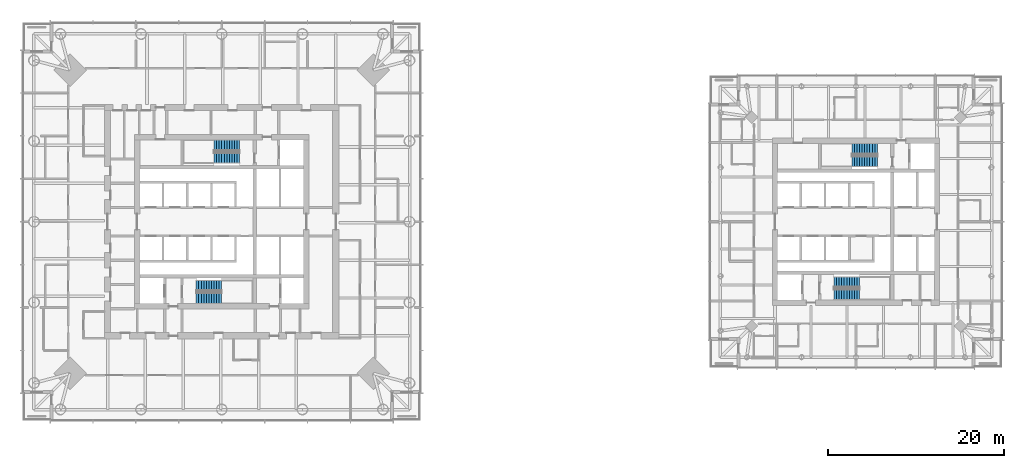
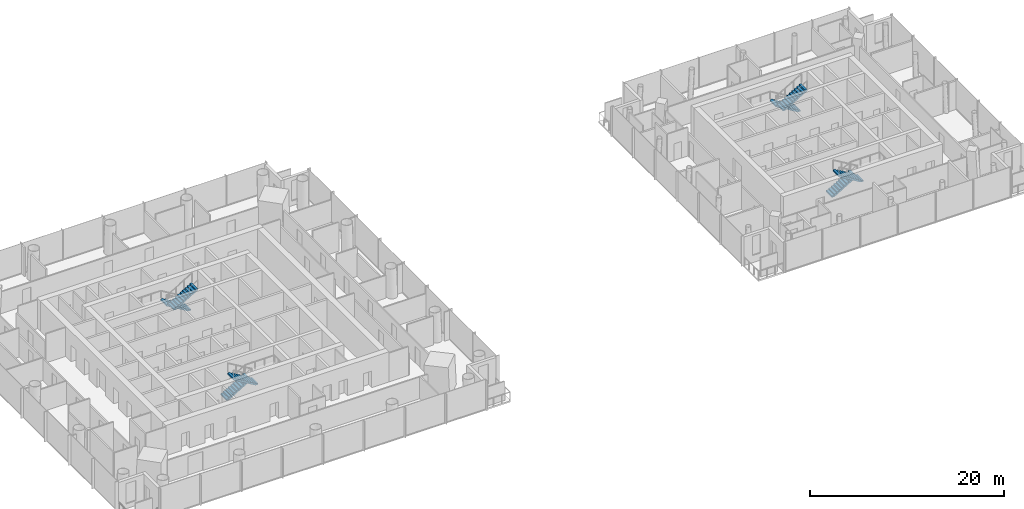
# One storey, part 16 of 18: 8 stair flights, 4 elements without a shape of their own.
"""IFC4 building model written with IfcOpenShell, lengths in metres."""

from ifc_helpers import new_model, si_unit, direction, frame, origin, place, context, subcontext, project, spatial, polyline, outline, extrude, material, type_object, element, aggregate, save


model = new_model("IFC4")

# Units and contexts
model_context = context("Model", 3, precision=1e-05, world=origin(), true_north=direction((0.0, 1.0)))
body_context = subcontext(model_context, "Body", "Model", "MODEL_VIEW")
ifc_project = project(units=[si_unit("LENGTHUNIT", "METRE"), si_unit("AREAUNIT", "SQUARE_METRE"), si_unit("VOLUMEUNIT", "CUBIC_METRE"), si_unit("PLANEANGLEUNIT", "RADIAN"), si_unit("MASSUNIT", "GRAM", prefix="KILO")], contexts=[model_context])

# Site, building, storey
site_placement = place(None, origin())
site = spatial("IfcSite", under=ifc_project, at=site_placement, CompositionType="ELEMENT")
building_placement = place(site_placement, origin())
building = spatial("IfcBuilding", under=site, at=building_placement, Name="Ostroluk Exchange", CompositionType="ELEMENT")
storey_placement = place(building_placement, frame((0.0, 0.0, 104.60009765625)))
storey = spatial("IfcBuildingStorey", under=building, at=storey_placement, Name="L26", CompositionType="ELEMENT", Elevation=104.60009765625)

# Stair, stair flights
ifc_material_1 = material(Name="Concrete C30/37", Category="concrete")
stair_type = type_object("IfcStairType", Name="Exit stair half turn 3800", PredefinedType="HALF_TURN_STAIR", material=ifc_material_1)
stair_1_placement = place(storey_placement, origin())
stair_1 = element("IfcStair", 1, at=stair_1_placement, inside=storey, type_object=stair_type, Name="Stair T1-S1 L26", PredefinedType="HALF_TURN_STAIR")
ifc_material_2 = material(Name="Concrete C30/37", Category="concrete")
stair_flight_type = type_object("IfcStairFlightType", Name="Stair flight 11 risers 172.7 x 290", PredefinedType="STRAIGHT", material=ifc_material_2)
stair_flight_1_placement = place(storey_placement, frame((42.10009765625, 38.77490234375, 0.0), z_axis=(0.0, 0.0, 1.0), x_axis=(1.0, 0.0, 0.0)))
stair_flight_1 = element("IfcStairFlight", 2, at=stair_flight_1_placement, type_object=stair_flight_type, Name="T1-S1 flight 1", NumberOfRisers=11, NumberOfTreads=10, PredefinedType="STRAIGHT", RiserHeight=0.172727273, TreadLength=0.29, context=body_context, shape_type="SweptSolid", body=[
    extrude(outline(polyline([(0.0, 0.0), (0.0, 0.172607421875), (0.2900390625, 0.172607421875), (0.2900390625, 0.345458984375), (0.580078125, 0.345458984375), (0.580078125, 0.51806640625), (0.8701171875, 0.51806640625), (0.8701171875, 0.69091796875), (1.159912109375, 0.69091796875), (1.159912109375, 0.863525390625), (1.449951171875, 0.863525390625), (1.449951171875, 1.036376953125), (1.739990234375, 1.036376953125), (1.739990234375, 1.208984375), (2.030029296875, 1.208984375), (2.030029296875, 1.3818359375), (2.320068359375, 1.3818359375), (2.320068359375, 1.554443359375), (2.610107421875, 1.554443359375), (2.610107421875, 1.727294921875), (2.89990234375, 1.727294921875), (2.89990234375, 1.89990234375), (2.89990234375, 1.552734375), (0.29296875, 0.0), (0.0, 0.0)])), frame((0.0, 0.625, 0.0), z_axis=(0.0, -1.0, 0.0), x_axis=(1.0, 0.0, 0.0)), (0.0, 0.0, 1.0), 1.25),
])
stair_flight_2_placement = place(storey_placement, frame((45.0, 37.324951171875, 1.89990234375), z_axis=(0.0, 0.0, 1.0), x_axis=(-1.0, 0.0, 0.0)))
stair_flight_2 = element("IfcStairFlight", 3, at=stair_flight_2_placement, type_object=stair_flight_type, Name="T1-S1 flight 2", NumberOfRisers=11, NumberOfTreads=10, PredefinedType="STRAIGHT", RiserHeight=0.172727273, TreadLength=0.29, context=body_context, shape_type="SweptSolid", body=[
    extrude(outline(polyline([(0.0, 0.0), (0.0, 0.172607421875), (0.2900390625, 0.172607421875), (0.2900390625, 0.345458984375), (0.580078125, 0.345458984375), (0.580078125, 0.51806640625), (0.8701171875, 0.51806640625), (0.8701171875, 0.69091796875), (1.159912109375, 0.69091796875), (1.159912109375, 0.863525390625), (1.449951171875, 0.863525390625), (1.449951171875, 1.036376953125), (1.739990234375, 1.036376953125), (1.739990234375, 1.208984375), (2.030029296875, 1.208984375), (2.030029296875, 1.3818359375), (2.320068359375, 1.3818359375), (2.320068359375, 1.554443359375), (2.610107421875, 1.554443359375), (2.610107421875, 1.727294921875), (2.89990234375, 1.727294921875), (2.89990234375, 1.89990234375), (2.89990234375, 1.552734375), (0.29296875, 0.0), (0.0, 0.0)])), frame((0.0, 0.625, 0.0), z_axis=(0.0, -1.0, 0.0), x_axis=(1.0, 0.0, 0.0)), (0.0, 0.0, 1.0), 1.25),
])
aggregate(stair_1, [stair_flight_1, stair_flight_2])

stair_2_placement = place(storey_placement, origin())
stair_2 = element("IfcStair", 4, at=stair_2_placement, inside=storey, type_object=stair_type, Name="Stair T1-S2 L26", PredefinedType="HALF_TURN_STAIR")
stair_flight_3_placement = place(storey_placement, frame((47.030029296875, 54.675048828125, 0.0), z_axis=(0.0, 0.0, 1.0), x_axis=(-1.0, 0.0, 0.0)))
stair_flight_3 = element("IfcStairFlight", 5, at=stair_flight_3_placement, type_object=stair_flight_type, Name="T1-S2 flight 1", NumberOfRisers=11, NumberOfTreads=10, PredefinedType="STRAIGHT", RiserHeight=0.172727273, TreadLength=0.29, context=body_context, shape_type="SweptSolid", body=[
    extrude(outline(polyline([(0.0, 0.0), (0.0, 0.172607421875), (0.2900390625, 0.172607421875), (0.2900390625, 0.345458984375), (0.580078125, 0.345458984375), (0.580078125, 0.51806640625), (0.8701171875, 0.51806640625), (0.8701171875, 0.69091796875), (1.159912109375, 0.69091796875), (1.159912109375, 0.863525390625), (1.449951171875, 0.863525390625), (1.449951171875, 1.036376953125), (1.739990234375, 1.036376953125), (1.739990234375, 1.208984375), (2.030029296875, 1.208984375), (2.030029296875, 1.3818359375), (2.320068359375, 1.3818359375), (2.320068359375, 1.554443359375), (2.610107421875, 1.554443359375), (2.610107421875, 1.727294921875), (2.89990234375, 1.727294921875), (2.89990234375, 1.89990234375), (2.89990234375, 1.552734375), (0.29296875, 0.0), (0.0, 0.0)])), frame((0.0, 0.625, 0.0), z_axis=(0.0, -1.0, 0.0), x_axis=(1.0, 0.0, 0.0)), (0.0, 0.0, 1.0), 1.25),
])
stair_flight_4_placement = place(storey_placement, frame((44.1298828125, 53.22509765625, 1.89990234375), z_axis=(0.0, 0.0, 1.0), x_axis=(1.0, 0.0, 0.0)))
stair_flight_4 = element("IfcStairFlight", 6, at=stair_flight_4_placement, type_object=stair_flight_type, Name="T1-S2 flight 2", NumberOfRisers=11, NumberOfTreads=10, PredefinedType="STRAIGHT", RiserHeight=0.172727273, TreadLength=0.29, context=body_context, shape_type="SweptSolid", body=[
    extrude(outline(polyline([(0.0, 0.0), (0.0, 0.172607421875), (0.2900390625, 0.172607421875), (0.2900390625, 0.345458984375), (0.580078125, 0.345458984375), (0.580078125, 0.51806640625), (0.8701171875, 0.51806640625), (0.8701171875, 0.69091796875), (1.159912109375, 0.69091796875), (1.159912109375, 0.863525390625), (1.449951171875, 0.863525390625), (1.449951171875, 1.036376953125), (1.739990234375, 1.036376953125), (1.739990234375, 1.208984375), (2.030029296875, 1.208984375), (2.030029296875, 1.3818359375), (2.320068359375, 1.3818359375), (2.320068359375, 1.554443359375), (2.610107421875, 1.554443359375), (2.610107421875, 1.727294921875), (2.89990234375, 1.727294921875), (2.89990234375, 1.89990234375), (2.89990234375, 1.552734375), (0.29296875, 0.0), (0.0, 0.0)])), frame((0.0, 0.625, 0.0), z_axis=(0.0, -1.0, 0.0), x_axis=(1.0, 0.0, 0.0)), (0.0, 0.0, 1.0), 1.25),
])
aggregate(stair_2, [stair_flight_3, stair_flight_4])

stair_3_placement = place(storey_placement, origin())
stair_3 = element("IfcStair", 7, at=stair_3_placement, inside=storey, type_object=stair_type, Name="Stair T2-S1 L26", PredefinedType="HALF_TURN_STAIR")
stair_flight_5_placement = place(storey_placement, frame((114.5, 39.175048828125, 0.0), z_axis=(0.0, 0.0, 1.0), x_axis=(1.0, 0.0, 0.0)))
stair_flight_5 = element("IfcStairFlight", 8, at=stair_flight_5_placement, type_object=stair_flight_type, Name="T2-S1 flight 1", NumberOfRisers=11, NumberOfTreads=10, PredefinedType="STRAIGHT", RiserHeight=0.172727273, TreadLength=0.29, context=body_context, shape_type="SweptSolid", body=[
    extrude(outline(polyline([(0.0, 0.0), (0.0, 0.172607421875), (0.2900390625, 0.172607421875), (0.2900390625, 0.345458984375), (0.580078125, 0.345458984375), (0.580078125, 0.51806640625), (0.8701171875, 0.51806640625), (0.8701171875, 0.69091796875), (1.159912109375, 0.69091796875), (1.159912109375, 0.863525390625), (1.449951171875, 0.863525390625), (1.449951171875, 1.036376953125), (1.739990234375, 1.036376953125), (1.739990234375, 1.208984375), (2.030029296875, 1.208984375), (2.030029296875, 1.3818359375), (2.320068359375, 1.3818359375), (2.320068359375, 1.554443359375), (2.610107421875, 1.554443359375), (2.610107421875, 1.727294921875), (2.89990234375, 1.727294921875), (2.89990234375, 1.89990234375), (2.89990234375, 1.552734375), (0.29296875, 0.0), (0.0, 0.0)])), frame((0.0, 0.625, 0.0), z_axis=(0.0, -1.0, 0.0), x_axis=(1.0, 0.0, 0.0)), (0.0, 0.0, 1.0), 1.25),
])
stair_flight_6_placement = place(storey_placement, frame((117.39990234375, 37.72509765625, 1.89990234375), z_axis=(0.0, 0.0, 1.0), x_axis=(-1.0, 0.0, 0.0)))
stair_flight_6 = element("IfcStairFlight", 9, at=stair_flight_6_placement, type_object=stair_flight_type, Name="T2-S1 flight 2", NumberOfRisers=11, NumberOfTreads=10, PredefinedType="STRAIGHT", RiserHeight=0.172727273, TreadLength=0.29, context=body_context, shape_type="SweptSolid", body=[
    extrude(outline(polyline([(0.0, 0.0), (0.0, 0.172607421875), (0.2900390625, 0.172607421875), (0.2900390625, 0.345458984375), (0.580078125, 0.345458984375), (0.580078125, 0.51806640625), (0.8701171875, 0.51806640625), (0.8701171875, 0.69091796875), (1.159912109375, 0.69091796875), (1.159912109375, 0.863525390625), (1.449951171875, 0.863525390625), (1.449951171875, 1.036376953125), (1.739990234375, 1.036376953125), (1.739990234375, 1.208984375), (2.030029296875, 1.208984375), (2.030029296875, 1.3818359375), (2.320068359375, 1.3818359375), (2.320068359375, 1.554443359375), (2.610107421875, 1.554443359375), (2.610107421875, 1.727294921875), (2.89990234375, 1.727294921875), (2.89990234375, 1.89990234375), (2.89990234375, 1.552734375), (0.29296875, 0.0), (0.0, 0.0)])), frame((0.0, 0.625, 0.0), z_axis=(0.0, -1.0, 0.0), x_axis=(1.0, 0.0, 0.0)), (0.0, 0.0, 1.0), 1.25),
])
aggregate(stair_3, [stair_flight_5, stair_flight_6])

stair_4_placement = place(storey_placement, origin())
stair_4 = element("IfcStair", 10, at=stair_4_placement, inside=storey, type_object=stair_type, Name="Stair T2-S2 L26", PredefinedType="HALF_TURN_STAIR")
stair_flight_7_placement = place(storey_placement, frame((119.429931640625, 54.27490234375, 0.0), z_axis=(0.0, 0.0, 1.0), x_axis=(-1.0, 0.0, 0.0)))
stair_flight_7 = element("IfcStairFlight", 11, at=stair_flight_7_placement, type_object=stair_flight_type, Name="T2-S2 flight 1", NumberOfRisers=11, NumberOfTreads=10, PredefinedType="STRAIGHT", RiserHeight=0.172727273, TreadLength=0.29, context=body_context, shape_type="SweptSolid", body=[
    extrude(outline(polyline([(0.0, 0.0), (0.0, 0.172607421875), (0.2900390625, 0.172607421875), (0.2900390625, 0.345458984375), (0.580078125, 0.345458984375), (0.580078125, 0.51806640625), (0.8701171875, 0.51806640625), (0.8701171875, 0.69091796875), (1.159912109375, 0.69091796875), (1.159912109375, 0.863525390625), (1.449951171875, 0.863525390625), (1.449951171875, 1.036376953125), (1.739990234375, 1.036376953125), (1.739990234375, 1.208984375), (2.030029296875, 1.208984375), (2.030029296875, 1.3818359375), (2.320068359375, 1.3818359375), (2.320068359375, 1.554443359375), (2.610107421875, 1.554443359375), (2.610107421875, 1.727294921875), (2.89990234375, 1.727294921875), (2.89990234375, 1.89990234375), (2.89990234375, 1.552734375), (0.29296875, 0.0), (0.0, 0.0)])), frame((0.0, 0.625, 0.0), z_axis=(0.0, -1.0, 0.0), x_axis=(1.0, 0.0, 0.0)), (0.0, 0.0, 1.0), 1.25),
])
stair_flight_8_placement = place(storey_placement, frame((116.530029296875, 52.824951171875, 1.89990234375), z_axis=(0.0, 0.0, 1.0), x_axis=(1.0, 0.0, 0.0)))
stair_flight_8 = element("IfcStairFlight", 12, at=stair_flight_8_placement, type_object=stair_flight_type, Name="T2-S2 flight 2", NumberOfRisers=11, NumberOfTreads=10, PredefinedType="STRAIGHT", RiserHeight=0.172727273, TreadLength=0.29, context=body_context, shape_type="SweptSolid", body=[
    extrude(outline(polyline([(0.0, 0.0), (0.0, 0.172607421875), (0.2900390625, 0.172607421875), (0.2900390625, 0.345458984375), (0.580078125, 0.345458984375), (0.580078125, 0.51806640625), (0.8701171875, 0.51806640625), (0.8701171875, 0.69091796875), (1.159912109375, 0.69091796875), (1.159912109375, 0.863525390625), (1.449951171875, 0.863525390625), (1.449951171875, 1.036376953125), (1.739990234375, 1.036376953125), (1.739990234375, 1.208984375), (2.030029296875, 1.208984375), (2.030029296875, 1.3818359375), (2.320068359375, 1.3818359375), (2.320068359375, 1.554443359375), (2.610107421875, 1.554443359375), (2.610107421875, 1.727294921875), (2.89990234375, 1.727294921875), (2.89990234375, 1.89990234375), (2.89990234375, 1.552734375), (0.29296875, 0.0), (0.0, 0.0)])), frame((0.0, 0.625, 0.0), z_axis=(0.0, -1.0, 0.0), x_axis=(1.0, 0.0, 0.0)), (0.0, 0.0, 1.0), 1.25),
])
aggregate(stair_4, [stair_flight_7, stair_flight_8])

save(model, "model.ifc")
